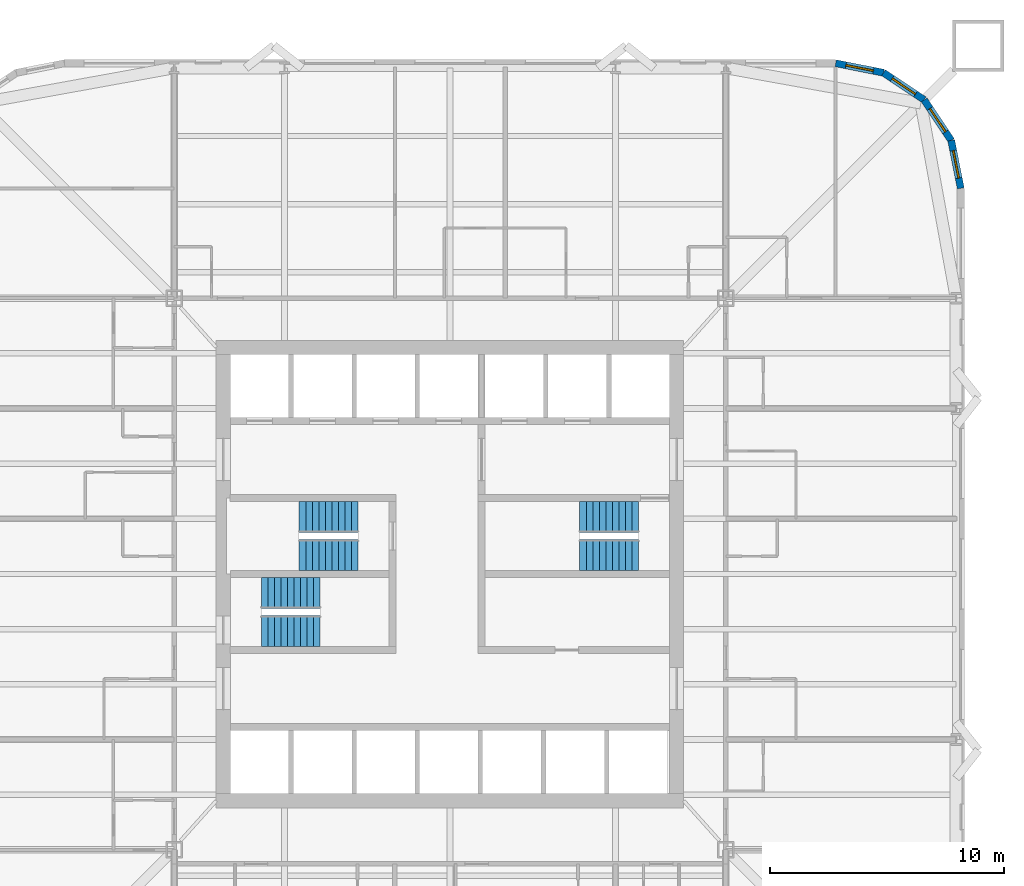
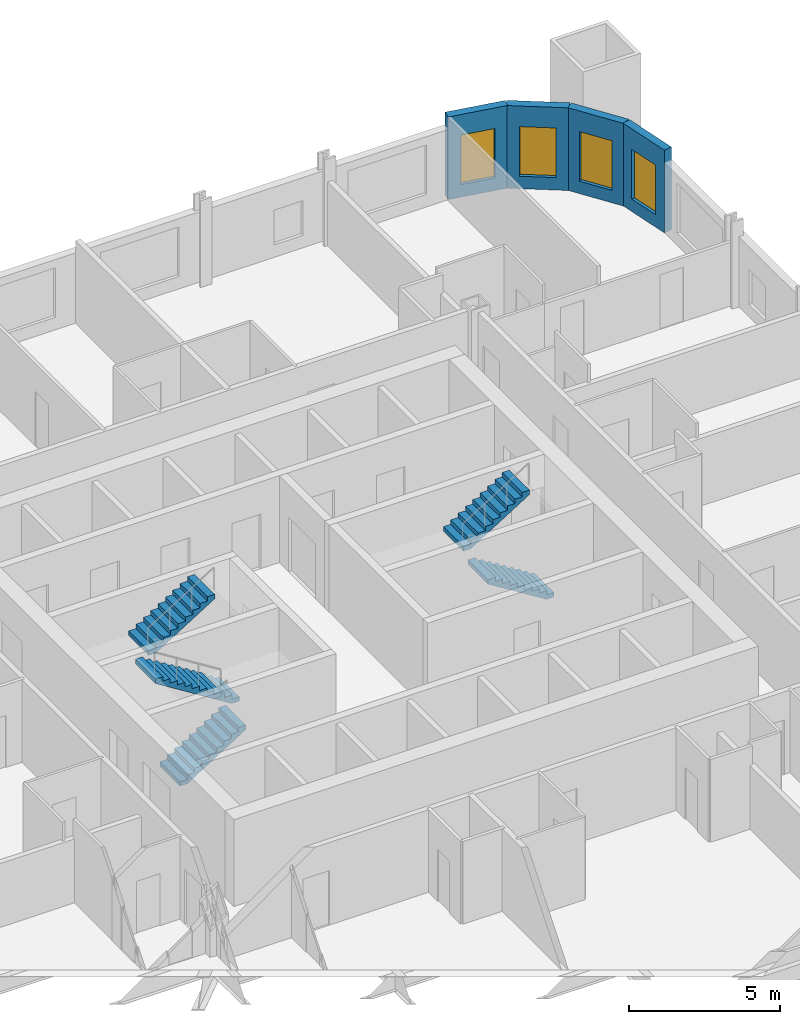
# One storey, part 8 of 9: 6 stair flights, 4 walls, 4 windows, 4 openings, 3 elements without a shape of their own.
"""IFC4 building model written with IfcOpenShell, lengths in metres."""

from ifc_helpers import new_model, si_unit, direction, frame, frame_2d, origin, place, context, subcontext, project, spatial, polyline, rectangle, outline, extrude, material, layer, layer_set, type_object, element, fill, aggregate, save


model = new_model("IFC4")

# Units and contexts
model_context = context("Model", 3, precision=1e-05, world=origin(), true_north=direction((0.0, 1.0)))
body_context = subcontext(model_context, "Body", "Model", "MODEL_VIEW")
ifc_project = project(units=[si_unit("LENGTHUNIT", "METRE"), si_unit("AREAUNIT", "SQUARE_METRE"), si_unit("VOLUMEUNIT", "CUBIC_METRE"), si_unit("PLANEANGLEUNIT", "RADIAN"), si_unit("MASSUNIT", "GRAM", prefix="KILO")], contexts=[model_context])

# Site, building, storey
site_placement = place(None, origin())
site = spatial("IfcSite", under=ifc_project, at=site_placement, CompositionType="ELEMENT")
building_placement = place(site_placement, origin())
building = spatial("IfcBuilding", under=site, at=building_placement, Name="Turquesa Mirador Hotel Tower", CompositionType="ELEMENT")
storey_placement = place(building_placement, frame((0.0, 0.0, 67.0)))
storey = spatial("IfcBuildingStorey", under=building, at=storey_placement, Name="L17", CompositionType="ELEMENT", Elevation=67.0)

# Wall, opening, window
ifc_material_1 = material(Name="Limestone cladding on concrete block", Category="masonry")
ifc_layer = layer(ifc_material_1, 0.300048828125)
ifc_layer_set = layer_set([ifc_layer], Name="FACADE WALL 300 STONE SCREEN")
wall_type = type_object("IfcWallType", Name="FACADE WALL 300 STONE SCREEN", PredefinedType="SOLIDWALL", material=ifc_layer_set)
wall_1_placement = place(storey_placement, frame((76.85009765625, 61.5, 0.0), z_axis=(0.0, 0.0, 1.0), x_axis=(-0.195081421501, 0.980787050784, 0.0)))
wall_1 = element("IfcWall", 1, at=wall_1_placement, inside=storey, type_object=wall_type, Name="Facade wall L17 05", PredefinedType="SOLIDWALL", context=body_context, shape_type="SweptSolid", body=[
    extrude(rectangle(XDim=2.08740234375, YDim=0.300048828125, at=frame_2d((1.043701171875, 0.0))), origin(), (0.0, 0.0, 1.0), 3.330078125),
])
opening_1_placement = place(wall_1_placement, frame((0.443603515625, 0.0, 0.5)))
opening_1 = element("IfcOpeningElement", 2, at=opening_1_placement, cuts=wall_1, Name="Opening WN4", PredefinedType="OPENING", context=body_context, shape_type="SweptSolid", body=[
    extrude(rectangle(XDim=1.199951171875, YDim=2.0, at=frame_2d((0.60009765625, 1.0))), frame((0.0, 0.159912109375, 0.0), z_axis=(0.0, -1.0, 0.0), x_axis=(1.0, 0.0, 0.0)), (0.0, 0.0, 1.0), 0.320068359375),
])
ifc_material_2 = material(Name="Ceramic-fritted laminated glass", Category="glass")
window_type = type_object("IfcWindowType", Name="FRITTED CORNER WINDOW 1200X2000", PartitioningType="DOUBLE_PANEL_HORIZONTAL", PredefinedType="WINDOW", material=ifc_material_2)
window_1_placement = place(opening_1_placement, origin())
window_1 = element("IfcWindow", 3, at=window_1_placement, inside=storey, type_object=window_type, Name="Window L17", OverallHeight=2.0, OverallWidth=1.199951171875, PartitioningType="SINGLE_PANEL", PredefinedType="WINDOW", context=body_context, shape_type="SweptSolid", body=[
    extrude(rectangle(XDim=1.199951171875, YDim=2.0, at=frame_2d((0.60009765625, 1.0))), frame((0.0, 0.030029296875, 0.0), z_axis=(0.0, -1.0, 0.0), x_axis=(1.0, 0.0, 0.0)), (0.0, 0.0, 1.0), 0.06005859375),
])
fill(opening_1, window_1)

wall_2_placement = place(storey_placement, frame((76.44287109375, 63.54736328125, 0.0), z_axis=(0.0, 0.0, 1.0), x_axis=(-0.555644460423, 0.831420010345, 0.0)))
wall_2 = element("IfcWall", 4, at=wall_2_placement, inside=storey, type_object=wall_type, Name="Facade wall L17 06", PredefinedType="SOLIDWALL", context=body_context, shape_type="SweptSolid", body=[
    extrude(rectangle(XDim=2.08740234375, YDim=0.300048828125, at=frame_2d((1.043701171875, 0.0))), origin(), (0.0, 0.0, 1.0), 3.330078125),
])
opening_2_placement = place(wall_2_placement, frame((0.443603515625, 0.0, 0.5)))
opening_2 = element("IfcOpeningElement", 5, at=opening_2_placement, cuts=wall_2, Name="Opening WN4", PredefinedType="OPENING", context=body_context, shape_type="SweptSolid", body=[
    extrude(rectangle(XDim=1.199951171875, YDim=2.0, at=frame_2d((0.60009765625, 1.0))), frame((0.0, 0.159912109375, 0.0), z_axis=(0.0, -1.0, 0.0), x_axis=(1.0, 0.0, 0.0)), (0.0, 0.0, 1.0), 0.320068359375),
])
window_2_placement = place(opening_2_placement, origin())
window_2 = element("IfcWindow", 6, at=window_2_placement, inside=storey, type_object=window_type, Name="Window L17", OverallHeight=2.0, OverallWidth=1.199951171875, PartitioningType="SINGLE_PANEL", PredefinedType="WINDOW", context=body_context, shape_type="SweptSolid", body=[
    extrude(rectangle(XDim=1.199951171875, YDim=2.0, at=frame_2d((0.60009765625, 1.0))), frame((0.0, 0.030029296875, 0.0), z_axis=(0.0, -1.0, 0.0), x_axis=(1.0, 0.0, 0.0)), (0.0, 0.0, 1.0), 0.06005859375),
])
fill(opening_2, window_2)

wall_3_placement = place(storey_placement, frame((75.282958984375, 65.282958984375, 0.0), z_axis=(0.0, 0.0, 1.0), x_axis=(-0.831420010345, 0.555644460423, 0.0)))
wall_3 = element("IfcWall", 7, at=wall_3_placement, inside=storey, type_object=wall_type, Name="Facade wall L17 07", PredefinedType="SOLIDWALL", context=body_context, shape_type="SweptSolid", body=[
    extrude(rectangle(XDim=2.08740234375, YDim=0.300048828125, at=frame_2d((1.043701171875, 0.0))), origin(), (0.0, 0.0, 1.0), 3.330078125),
])
opening_3_placement = place(wall_3_placement, frame((0.443603515625, 0.0, 0.5)))
opening_3 = element("IfcOpeningElement", 8, at=opening_3_placement, cuts=wall_3, Name="Opening WN4", PredefinedType="OPENING", context=body_context, shape_type="SweptSolid", body=[
    extrude(rectangle(XDim=1.199951171875, YDim=2.0, at=frame_2d((0.60009765625, 1.0))), frame((0.0, 0.159912109375, 0.0), z_axis=(0.0, -1.0, 0.0), x_axis=(1.0, 0.0, 0.0)), (0.0, 0.0, 1.0), 0.320068359375),
])
window_3_placement = place(opening_3_placement, origin())
window_3 = element("IfcWindow", 9, at=window_3_placement, inside=storey, type_object=window_type, Name="Window L17", OverallHeight=2.0, OverallWidth=1.199951171875, PartitioningType="SINGLE_PANEL", PredefinedType="WINDOW", context=body_context, shape_type="SweptSolid", body=[
    extrude(rectangle(XDim=1.199951171875, YDim=2.0, at=frame_2d((0.60009765625, 1.0))), frame((0.0, 0.030029296875, 0.0), z_axis=(0.0, -1.0, 0.0), x_axis=(1.0, 0.0, 0.0)), (0.0, 0.0, 1.0), 0.06005859375),
])
fill(opening_3, window_3)

wall_4_placement = place(storey_placement, frame((73.54736328125, 66.44287109375, 0.0), z_axis=(0.0, 0.0, 1.0), x_axis=(-0.980787050784, 0.195081421501, 0.0)))
wall_4 = element("IfcWall", 10, at=wall_4_placement, inside=storey, type_object=wall_type, Name="Facade wall L17 08", PredefinedType="SOLIDWALL", context=body_context, shape_type="SweptSolid", body=[
    extrude(rectangle(XDim=2.08740234375, YDim=0.300048828125, at=frame_2d((1.043701171875, 0.0))), origin(), (0.0, 0.0, 1.0), 3.330078125),
])
opening_4_placement = place(wall_4_placement, frame((0.443603515625, 0.0, 0.5)))
opening_4 = element("IfcOpeningElement", 11, at=opening_4_placement, cuts=wall_4, Name="Opening WN4", PredefinedType="OPENING", context=body_context, shape_type="SweptSolid", body=[
    extrude(rectangle(XDim=1.199951171875, YDim=2.0, at=frame_2d((0.60009765625, 1.0))), frame((0.0, 0.159912109375, 0.0), z_axis=(0.0, -1.0, 0.0), x_axis=(1.0, 0.0, 0.0)), (0.0, 0.0, 1.0), 0.320068359375),
])
window_4_placement = place(opening_4_placement, origin())
window_4 = element("IfcWindow", 12, at=window_4_placement, inside=storey, type_object=window_type, Name="Window L17", OverallHeight=2.0, OverallWidth=1.199951171875, PartitioningType="SINGLE_PANEL", PredefinedType="WINDOW", context=body_context, shape_type="SweptSolid", body=[
    extrude(rectangle(XDim=1.199951171875, YDim=2.0, at=frame_2d((0.60009765625, 1.0))), frame((0.0, 0.030029296875, 0.0), z_axis=(0.0, -1.0, 0.0), x_axis=(1.0, 0.0, 0.0)), (0.0, 0.0, 1.0), 0.06005859375),
])
fill(opening_4, window_4)

# Stair, stair flights
ifc_material_3 = material(Name="Concrete C35/45", Category="concrete")
stair_type = type_object("IfcStairType", Name="ESCAPE STAIR CORE", PredefinedType="HALF_TURN_STAIR", material=ifc_material_3)
stair_1_placement = place(storey_placement, origin())
stair_1 = element("IfcStair", 13, at=stair_1_placement, inside=storey, type_object=stair_type, Name="Stair ST1 L17 to L18", PredefinedType="HALF_TURN_STAIR")
ifc_material_4 = material(Name="Concrete C35/45 precast flight", Category="concrete")
stair_flight_type = type_object("IfcStairFlightType", Name="STAIR FLIGHT 1330", PredefinedType="STRAIGHT", material=ifc_material_4)
stair_flight_1_placement = place(storey_placement, frame((51.070068359375, 45.81494140625, 0.0), z_axis=(0.0, 0.0, 1.0), x_axis=(-1.0, 0.0, 0.0)))
stair_flight_1 = element("IfcStairFlight", 14, at=stair_flight_1_placement, type_object=stair_flight_type, Name="ST1 flight 1", NumberOfRisers=10, NumberOfTreads=9, PredefinedType="STRAIGHT", RiserHeight=0.175, TreadLength=0.28, context=body_context, shape_type="SweptSolid", body=[
    extrude(outline(polyline([(0.0, 0.0), (0.0, 0.175048828125), (0.280029296875, 0.175048828125), (0.280029296875, 0.35009765625), (0.56005859375, 0.35009765625), (0.56005859375, 0.52490234375), (0.840087890625, 0.52490234375), (0.840087890625, 0.699951171875), (1.1201171875, 0.699951171875), (1.1201171875, 0.875), (1.39990234375, 0.875), (1.39990234375, 1.050048828125), (1.679931640625, 1.050048828125), (1.679931640625, 1.22509765625), (1.9599609375, 1.22509765625), (1.9599609375, 1.39990234375), (2.239990234375, 1.39990234375), (2.239990234375, 1.574951171875), (2.52001953125, 1.574951171875), (2.52001953125, 1.75), (2.52001953125, 1.398193359375), (0.28271484375, 0.0), (0.0, 0.0)])), frame((0.0, 0.6650390625, 0.0), z_axis=(0.0, -1.0, 0.0), x_axis=(1.0, 0.0, 0.0)), (0.0, 0.0, 1.0), 1.330078125),
])
stair_flight_2_placement = place(storey_placement, frame((48.550048828125, 47.43505859375, 1.75), z_axis=(0.0, 0.0, 1.0), x_axis=(1.0, 0.0, 0.0)))
stair_flight_2 = element("IfcStairFlight", 15, at=stair_flight_2_placement, type_object=stair_flight_type, Name="ST1 flight 2", NumberOfRisers=10, NumberOfTreads=9, PredefinedType="STRAIGHT", RiserHeight=0.175, TreadLength=0.28, context=body_context, shape_type="SweptSolid", body=[
    extrude(outline(polyline([(0.0, 0.0), (0.0, 0.175048828125), (0.280029296875, 0.175048828125), (0.280029296875, 0.35009765625), (0.56005859375, 0.35009765625), (0.56005859375, 0.52490234375), (0.840087890625, 0.52490234375), (0.840087890625, 0.699951171875), (1.1201171875, 0.699951171875), (1.1201171875, 0.875), (1.39990234375, 0.875), (1.39990234375, 1.050048828125), (1.679931640625, 1.050048828125), (1.679931640625, 1.22509765625), (1.9599609375, 1.22509765625), (1.9599609375, 1.39990234375), (2.239990234375, 1.39990234375), (2.239990234375, 1.574951171875), (2.52001953125, 1.574951171875), (2.52001953125, 1.75), (2.52001953125, 1.398193359375), (0.28271484375, 0.0), (0.0, 0.0)])), frame((0.0, 0.6650390625, 0.0), z_axis=(0.0, -1.0, 0.0), x_axis=(1.0, 0.0, 0.0)), (0.0, 0.0, 1.0), 1.330078125),
])
aggregate(stair_1, [stair_flight_1, stair_flight_2])

stair_2_placement = place(storey_placement, origin())
stair_2 = element("IfcStair", 16, at=stair_2_placement, inside=storey, type_object=stair_type, Name="Stair ST2 L17 to L18", PredefinedType="HALF_TURN_STAIR")
stair_flight_3_placement = place(storey_placement, frame((46.929931640625, 42.56494140625, 0.0), z_axis=(0.0, 0.0, 1.0), x_axis=(1.0, 0.0, 0.0)))
stair_flight_3 = element("IfcStairFlight", 17, at=stair_flight_3_placement, type_object=stair_flight_type, Name="ST2 flight 1", NumberOfRisers=10, NumberOfTreads=9, PredefinedType="STRAIGHT", RiserHeight=0.175, TreadLength=0.28, context=body_context, shape_type="SweptSolid", body=[
    extrude(outline(polyline([(0.0, 0.0), (0.0, 0.175048828125), (0.280029296875, 0.175048828125), (0.280029296875, 0.35009765625), (0.56005859375, 0.35009765625), (0.56005859375, 0.52490234375), (0.840087890625, 0.52490234375), (0.840087890625, 0.699951171875), (1.1201171875, 0.699951171875), (1.1201171875, 0.875), (1.39990234375, 0.875), (1.39990234375, 1.050048828125), (1.679931640625, 1.050048828125), (1.679931640625, 1.22509765625), (1.9599609375, 1.22509765625), (1.9599609375, 1.39990234375), (2.239990234375, 1.39990234375), (2.239990234375, 1.574951171875), (2.52001953125, 1.574951171875), (2.52001953125, 1.75), (2.52001953125, 1.398193359375), (0.28271484375, 0.0), (0.0, 0.0)])), frame((0.0, 0.6650390625, 0.0), z_axis=(0.0, -1.0, 0.0), x_axis=(1.0, 0.0, 0.0)), (0.0, 0.0, 1.0), 1.330078125),
])
stair_flight_4_placement = place(storey_placement, frame((49.449951171875, 44.18505859375, 1.75), z_axis=(0.0, 0.0, 1.0), x_axis=(-1.0, 0.0, 0.0)))
stair_flight_4 = element("IfcStairFlight", 18, at=stair_flight_4_placement, type_object=stair_flight_type, Name="ST2 flight 2", NumberOfRisers=10, NumberOfTreads=9, PredefinedType="STRAIGHT", RiserHeight=0.175, TreadLength=0.28, context=body_context, shape_type="SweptSolid", body=[
    extrude(outline(polyline([(0.0, 0.0), (0.0, 0.175048828125), (0.280029296875, 0.175048828125), (0.280029296875, 0.35009765625), (0.56005859375, 0.35009765625), (0.56005859375, 0.52490234375), (0.840087890625, 0.52490234375), (0.840087890625, 0.699951171875), (1.1201171875, 0.699951171875), (1.1201171875, 0.875), (1.39990234375, 0.875), (1.39990234375, 1.050048828125), (1.679931640625, 1.050048828125), (1.679931640625, 1.22509765625), (1.9599609375, 1.22509765625), (1.9599609375, 1.39990234375), (2.239990234375, 1.39990234375), (2.239990234375, 1.574951171875), (2.52001953125, 1.574951171875), (2.52001953125, 1.75), (2.52001953125, 1.398193359375), (0.28271484375, 0.0), (0.0, 0.0)])), frame((0.0, 0.6650390625, 0.0), z_axis=(0.0, -1.0, 0.0), x_axis=(1.0, 0.0, 0.0)), (0.0, 0.0, 1.0), 1.330078125),
])
aggregate(stair_2, [stair_flight_3, stair_flight_4])

stair_3_placement = place(storey_placement, origin())
stair_3 = element("IfcStair", 19, at=stair_3_placement, inside=storey, type_object=stair_type, Name="Stair ST3 L17 to L18", PredefinedType="HALF_TURN_STAIR")
stair_flight_5_placement = place(storey_placement, frame((63.070068359375, 45.81494140625, 0.0), z_axis=(0.0, 0.0, 1.0), x_axis=(-1.0, 0.0, 0.0)))
stair_flight_5 = element("IfcStairFlight", 20, at=stair_flight_5_placement, type_object=stair_flight_type, Name="ST3 flight 1", NumberOfRisers=10, NumberOfTreads=9, PredefinedType="STRAIGHT", RiserHeight=0.175, TreadLength=0.28, context=body_context, shape_type="SweptSolid", body=[
    extrude(outline(polyline([(0.0, 0.0), (0.0, 0.175048828125), (0.280029296875, 0.175048828125), (0.280029296875, 0.35009765625), (0.56005859375, 0.35009765625), (0.56005859375, 0.52490234375), (0.840087890625, 0.52490234375), (0.840087890625, 0.699951171875), (1.1201171875, 0.699951171875), (1.1201171875, 0.875), (1.39990234375, 0.875), (1.39990234375, 1.050048828125), (1.679931640625, 1.050048828125), (1.679931640625, 1.22509765625), (1.9599609375, 1.22509765625), (1.9599609375, 1.39990234375), (2.239990234375, 1.39990234375), (2.239990234375, 1.574951171875), (2.52001953125, 1.574951171875), (2.52001953125, 1.75), (2.52001953125, 1.398193359375), (0.28271484375, 0.0), (0.0, 0.0)])), frame((0.0, 0.6650390625, 0.0), z_axis=(0.0, -1.0, 0.0), x_axis=(1.0, 0.0, 0.0)), (0.0, 0.0, 1.0), 1.330078125),
])
stair_flight_6_placement = place(storey_placement, frame((60.550048828125, 47.43505859375, 1.75), z_axis=(0.0, 0.0, 1.0), x_axis=(1.0, 0.0, 0.0)))
stair_flight_6 = element("IfcStairFlight", 21, at=stair_flight_6_placement, type_object=stair_flight_type, Name="ST3 flight 2", NumberOfRisers=10, NumberOfTreads=9, PredefinedType="STRAIGHT", RiserHeight=0.175, TreadLength=0.28, context=body_context, shape_type="SweptSolid", body=[
    extrude(outline(polyline([(0.0, 0.0), (0.0, 0.175048828125), (0.280029296875, 0.175048828125), (0.280029296875, 0.35009765625), (0.56005859375, 0.35009765625), (0.56005859375, 0.52490234375), (0.840087890625, 0.52490234375), (0.840087890625, 0.699951171875), (1.1201171875, 0.699951171875), (1.1201171875, 0.875), (1.39990234375, 0.875), (1.39990234375, 1.050048828125), (1.679931640625, 1.050048828125), (1.679931640625, 1.22509765625), (1.9599609375, 1.22509765625), (1.9599609375, 1.39990234375), (2.239990234375, 1.39990234375), (2.239990234375, 1.574951171875), (2.52001953125, 1.574951171875), (2.52001953125, 1.75), (2.52001953125, 1.398193359375), (0.28271484375, 0.0), (0.0, 0.0)])), frame((0.0, 0.6650390625, 0.0), z_axis=(0.0, -1.0, 0.0), x_axis=(1.0, 0.0, 0.0)), (0.0, 0.0, 1.0), 1.330078125),
])
aggregate(stair_3, [stair_flight_5, stair_flight_6])

save(model, "model.ifc")
